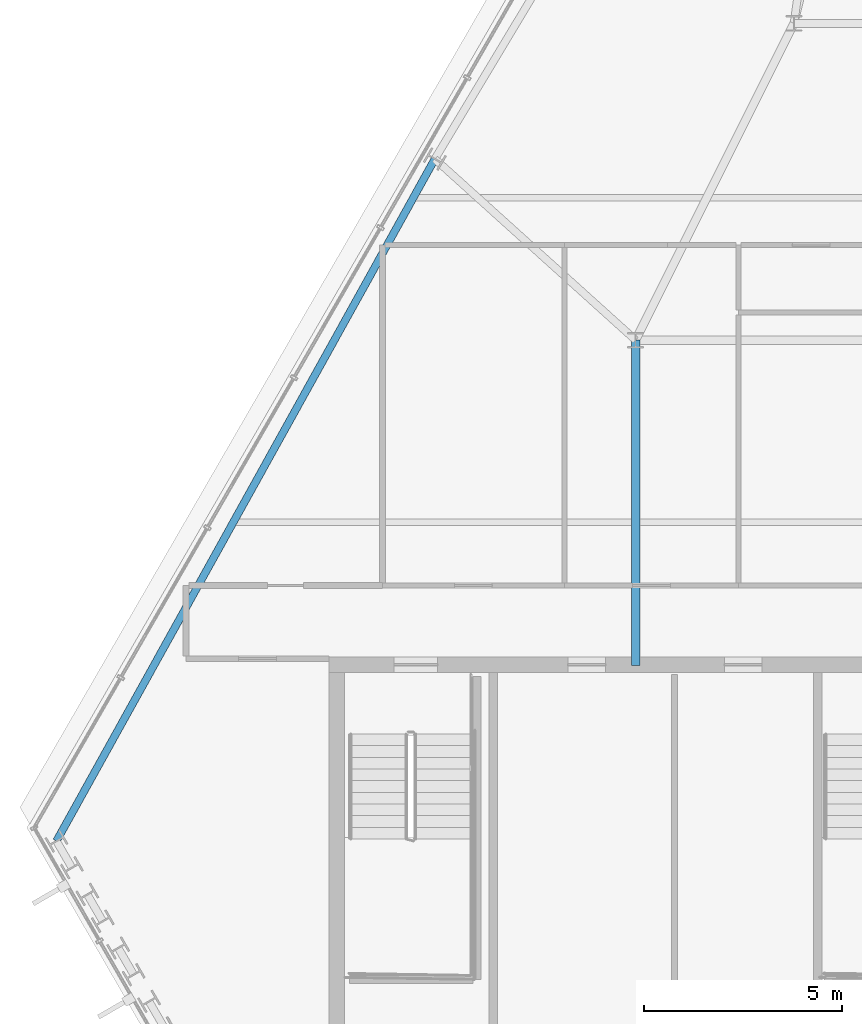
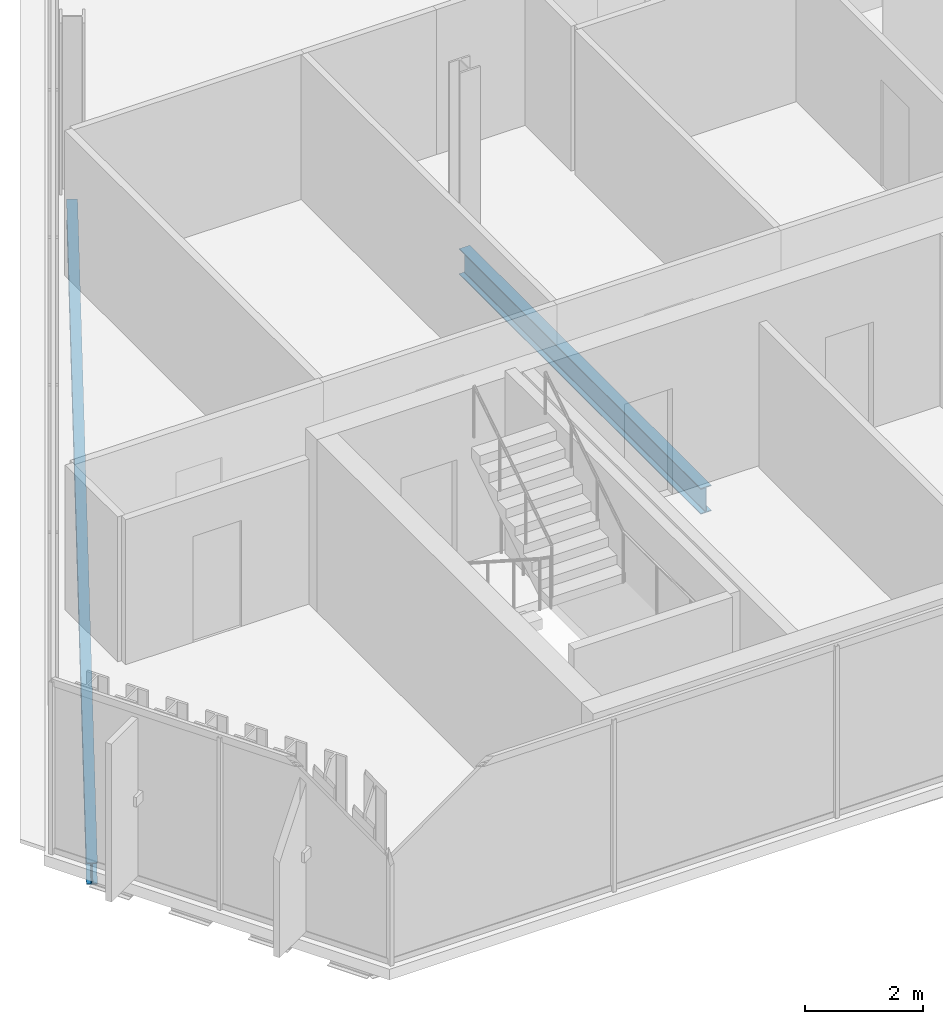
# One storey, part 5 of 29: 2 beams.
"""IFC4 building model written with IfcOpenShell, lengths in metres."""

from ifc_helpers import new_model, si_unit, direction, frame, origin, origin_2d, place, context, subcontext, project, spatial, i_section, extrude, material, material_profile, profile_set, type_object, element, save


model = new_model("IFC4")

# Units and contexts
model_context = context("Model", 3, precision=1e-05, world=origin(), true_north=direction((0.0, 1.0)))
body_context = subcontext(model_context, "Body", "Model", "MODEL_VIEW")
ifc_project = project(units=[si_unit("LENGTHUNIT", "METRE"), si_unit("AREAUNIT", "SQUARE_METRE"), si_unit("VOLUMEUNIT", "CUBIC_METRE"), si_unit("PLANEANGLEUNIT", "RADIAN"), si_unit("MASSUNIT", "GRAM", prefix="KILO")], contexts=[model_context])

# Site, building, storey
site_placement = place(None, origin())
site = spatial("IfcSite", under=ifc_project, at=site_placement, CompositionType="ELEMENT")
building_placement = place(site_placement, origin())
building = spatial("IfcBuilding", under=site, at=building_placement, Name="Ndaravel Arena Tower", CompositionType="ELEMENT")
storey_placement = place(building_placement, frame((0.0, 0.0, 240.800048828125)))
storey = spatial("IfcBuildingStorey", under=building, at=storey_placement, Name="L58", CompositionType="ELEMENT", Elevation=240.800048828125)

# Beams
ifc_material_1 = material(Name="Steel S355", Category="steel")
ifc_material_profile_1 = material_profile(ifc_material_1, i_section(OverallWidth=0.210693359375, OverallDepth=0.53955078125, WebThickness=0.01171875, FlangeThickness=0.018798828125, FilletRadius=0.0126953125, at=origin_2d()), Name="UB 533x210x109")
ifc_profile_set_1 = profile_set([ifc_material_profile_1], Name="Steel S355")
beam_type_1 = type_object("IfcBeamType", Name="BM-GIRD-UB533", PredefinedType="BEAM", material=ifc_profile_set_1)
beam_1_placement = place(storey_placement, frame((34.199951171875, 14.97998046875, -0.48974609375), z_axis=(0.0, 1.0, 0.0), x_axis=(-1.0, 0.0, 0.0)))
element("IfcBeam", 1, at=beam_1_placement, inside=storey, type_object=beam_type_1, Name="L58 Spine Link Girder SLG-01", PredefinedType="BEAM", context=body_context, shape_type="SweptSolid", body=[
    extrude(i_section(OverallWidth=0.210693359375, OverallDepth=0.53955078125, WebThickness=0.01171875, FlangeThickness=0.018798828125, FilletRadius=0.0126953125, at=origin_2d()), origin(), (0.0, 0.0, 1.0), 8.219970703125),
])
ifc_material_2 = material(Name="Steel S355", Category="steel")
ifc_material_profile_2 = material_profile(ifc_material_2, i_section(OverallWidth=0.18994140625, OverallDepth=0.449951171875, WebThickness=0.009521484375, FlangeThickness=0.0146484375, FilletRadius=0.02099609375, at=origin_2d()), Name="IPE 450")
ifc_profile_set_2 = profile_set([ifc_material_profile_2], Name="Steel S355")
beam_type_2 = type_object("IfcBeamType", Name="BM-SPAN-IPE450", PredefinedType="SPANDREL", material=ifc_profile_set_2)
beam_2_placement = place(storey_placement, frame((29.12744140625, 27.77587890625, -0.445068359375), z_axis=(-0.485083189334, -0.874468009378, 0.0), x_axis=(0.874468009378, -0.485083189334, 0.0)))
element("IfcBeam", 2, at=beam_2_placement, inside=storey, type_object=beam_type_2, Name="L58 Perimeter Spandrel Beam SP-19", PredefinedType="SPANDREL", context=body_context, shape_type="SweptSolid", body=[
    extrude(i_section(OverallWidth=0.18994140625, OverallDepth=0.449951171875, WebThickness=0.009521484375, FlangeThickness=0.0146484375, FilletRadius=0.02099609375, at=origin_2d()), origin(), (0.0, 0.0, 1.0), 19.705078125),
])

save(model, "model.ifc")
